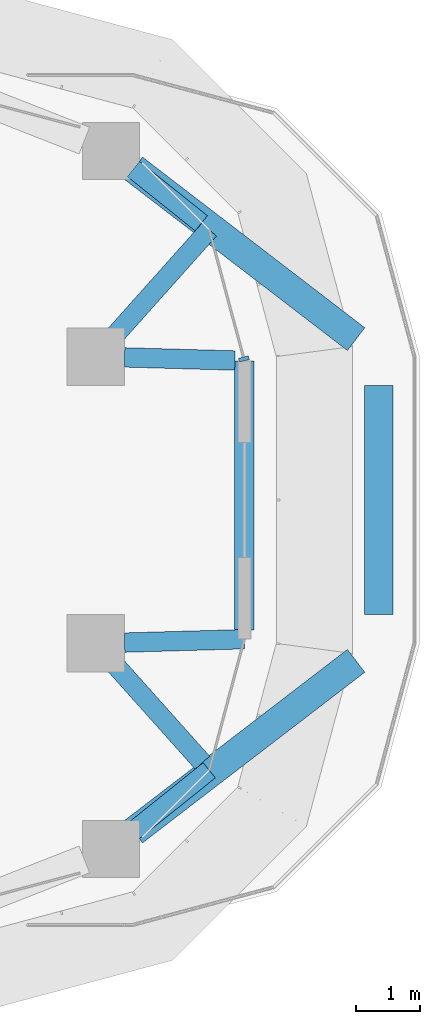
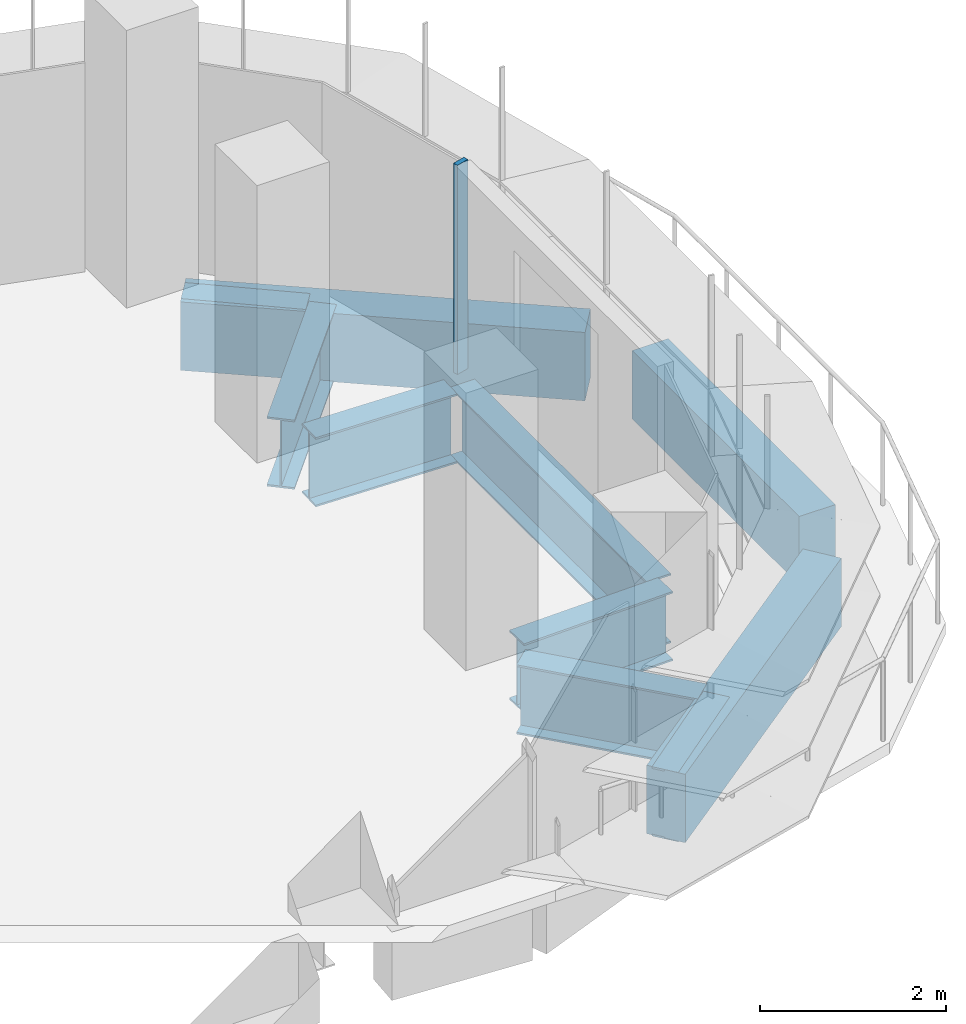
# One storey, part 10 of 22: 10 beams, 1 member, 1 element without a shape of its own.
"""IFC4 building model written with IfcOpenShell, lengths in metres."""

from ifc_helpers import new_model, si_unit, direction, frame, origin, origin_2d, place, context, subcontext, project, spatial, polyline, rectangle, i_section, outline, extrude, source, transform, mapped, material, material_profile, profile_set, type_object, element, aggregate, save


model = new_model("IFC4")

# Units and contexts
model_context = context("Model", 3, precision=1e-05, world=origin(), true_north=direction((0.0, 1.0)))
body_context = subcontext(model_context, "Body", "Model", "MODEL_VIEW")
ifc_project = project(units=[si_unit("LENGTHUNIT", "METRE"), si_unit("AREAUNIT", "SQUARE_METRE"), si_unit("VOLUMEUNIT", "CUBIC_METRE"), si_unit("PLANEANGLEUNIT", "RADIAN"), si_unit("MASSUNIT", "GRAM", prefix="KILO")], contexts=[model_context])

# Site, building, storey
site_placement = place(None, origin())
site = spatial("IfcSite", under=ifc_project, at=site_placement, CompositionType="ELEMENT")
building_placement = place(site_placement, origin())
building = spatial("IfcBuilding", under=site, at=building_placement, Name="Zarbagh Exchange Tower", CompositionType="ELEMENT")
storey_placement = place(building_placement, frame((0.0, 0.0, 124.60009765625)))
storey = spatial("IfcBuildingStorey", under=building, at=storey_placement, Name="L29", CompositionType="ELEMENT", Elevation=124.60009765625)

# Beams
ifc_material_1 = material(Name="Steel ASTM A992 Gr 50", Category="steel")
ifc_material_profile_1 = material_profile(ifc_material_1, i_section(OverallWidth=0.3046875, OverallDepth=0.911865234375, WebThickness=0.015869140625, FlangeThickness=0.02392578125, at=origin_2d()), Name="W36X150")
ifc_profile_set_1 = profile_set([ifc_material_profile_1], Name="Steel ASTM A992 Gr 50")
beam_type_1 = type_object("IfcBeamType", Name="Floor girder W36X150", PredefinedType="BEAM", material=ifc_profile_set_1)
beam_1_placement = place(storey_placement, frame((29.25927734375, 5.193603515625, -0.60595703125), z_axis=(0.780641570564, -0.624978990293, 0.0), x_axis=(0.624978990293, 0.780641570564, 0.0)))
element("IfcBeam", 1, at=beam_1_placement, inside=storey, type_object=beam_type_1, Name="Steel girder", PredefinedType="BEAM", context=body_context, shape_type="SweptSolid", body=[
    extrude(i_section(OverallWidth=0.3046875, OverallDepth=0.911865234375, WebThickness=0.015869140625, FlangeThickness=0.02392578125, at=origin_2d()), origin(), (0.0, 0.0, 1.0), 1.363037109375),
])
beam_2_placement = place(storey_placement, frame((30.44873046875, 4.2412109375, -0.60595703125), z_axis=(-0.666232102063, -0.745744450989, 0.0), x_axis=(0.745744450989, -0.666232102063, 0.0)))
element("IfcBeam", 2, at=beam_2_placement, inside=storey, type_object=beam_type_1, Name="Steel girder", PredefinedType="BEAM", context=body_context, shape_type="SweptSolid", body=[
    extrude(i_section(OverallWidth=0.3046875, OverallDepth=0.911865234375, WebThickness=0.015869140625, FlangeThickness=0.02392578125, at=origin_2d()), origin(), (0.0, 0.0, 1.0), 2.219970703125),
])
beam_3_placement = place(storey_placement, frame((29.119873046875, 2.2373046875, -0.60595703125), z_axis=(0.999602818669, -0.02818164135, 0.0), x_axis=(0.02818164135, 0.999602818669, 0.0)))
element("IfcBeam", 3, at=beam_3_placement, inside=storey, type_object=beam_type_1, Name="Steel girder", PredefinedType="BEAM", context=body_context, shape_type="SweptSolid", body=[
    extrude(i_section(OverallWidth=0.3046875, OverallDepth=0.911865234375, WebThickness=0.015869140625, FlangeThickness=0.02392578125, at=origin_2d()), origin(), (0.0, 0.0, 1.0), 1.732666015625),
])
beam_4_placement = place(storey_placement, frame((31.0, 2.18408203125, -0.60595703125), z_axis=(0.0, -1.0, 0.0), x_axis=(1.0, 0.0, 0.0)))
element("IfcBeam", 4, at=beam_4_placement, inside=storey, type_object=beam_type_1, Name="Steel girder", PredefinedType="BEAM", context=body_context, shape_type="SweptSolid", body=[
    extrude(i_section(OverallWidth=0.3046875, OverallDepth=0.911865234375, WebThickness=0.015869140625, FlangeThickness=0.02392578125, at=origin_2d()), origin(), (0.0, 0.0, 1.0), 4.219970703125),
])
beam_5_placement = place(storey_placement, frame((31.0, -2.18408203125, -0.60595703125), z_axis=(-0.999599568876, -0.028296676537, 0.0), x_axis=(0.028296676537, -0.999599568876, 0.0)))
element("IfcBeam", 5, at=beam_5_placement, inside=storey, type_object=beam_type_1, Name="Steel girder", PredefinedType="BEAM", context=body_context, shape_type="SweptSolid", body=[
    extrude(i_section(OverallWidth=0.3046875, OverallDepth=0.911865234375, WebThickness=0.015869140625, FlangeThickness=0.02392578125, at=origin_2d()), origin(), (0.0, 0.0, 1.0), 1.880859375),
])
beam_6_placement = place(storey_placement, frame((28.9697265625, -2.585693359375, -0.60595703125), z_axis=(0.666333788732, -0.745653593832, 0.0), x_axis=(0.745653593832, 0.666333788732, 0.0)))
element("IfcBeam", 6, at=beam_6_placement, inside=storey, type_object=beam_type_1, Name="Steel girder", PredefinedType="BEAM", context=body_context, shape_type="SweptSolid", body=[
    extrude(i_section(OverallWidth=0.3046875, OverallDepth=0.911865234375, WebThickness=0.015869140625, FlangeThickness=0.02392578125, at=origin_2d()), origin(), (0.0, 0.0, 1.0), 2.05908203125),
])
beam_7_placement = place(storey_placement, frame((30.44873046875, -4.2412109375, -0.60595703125), z_axis=(-0.780603004261, -0.6250271592, 0.0), x_axis=(0.6250271592, -0.780603004261, 0.0)))
element("IfcBeam", 7, at=beam_7_placement, inside=storey, type_object=beam_type_1, Name="Steel girder", PredefinedType="BEAM", context=body_context, shape_type="SweptSolid", body=[
    extrude(i_section(OverallWidth=0.3046875, OverallDepth=0.911865234375, WebThickness=0.015869140625, FlangeThickness=0.02392578125, at=origin_2d()), origin(), (0.0, 0.0, 1.0), 1.523681640625),
])
ifc_material_2 = material(Name="Concrete C60/75", Category="concrete")
ifc_material_profile_2 = material_profile(ifc_material_2, rectangle(XDim=0.449951171875, YDim=0.89990234375, at=origin_2d()), Name="RC spandrel beam 450 x 900 C60/75")
ifc_profile_set_2 = profile_set([ifc_material_profile_2], Name="Concrete C60/75")
beam_type_2 = type_object("IfcBeamType", Name="RC spandrel beam 450 x 900 C60/75", PredefinedType="SPANDREL", material=ifc_profile_set_2)
beam_8_placement = place(storey_placement, frame((29.264892578125, 5.200927734375, -0.60009765625), z_axis=(0.793294357749, -0.608838288844, 0.0), x_axis=(0.608838288844, 0.793294357749, 0.0)))
element("IfcBeam", 8, at=beam_8_placement, inside=storey, type_object=beam_type_2, Name="RC spandrel beam", PredefinedType="SPANDREL", context=body_context, shape_type="SweptSolid", body=[
    extrude(rectangle(XDim=0.449951171875, YDim=0.89990234375, at=origin_2d()), origin(), (0.0, 0.0, 1.0), 4.39697265625),
])
beam_9_placement = place(storey_placement, frame((33.110107421875, 1.800048828125, -0.60009765625), z_axis=(0.0, -1.0, 0.0), x_axis=(1.0, 0.0, 0.0)))
element("IfcBeam", 9, at=beam_9_placement, inside=storey, type_object=beam_type_2, Name="RC spandrel beam", PredefinedType="SPANDREL", context=body_context, shape_type="SweptSolid", body=[
    extrude(rectangle(XDim=0.449951171875, YDim=0.89990234375, at=origin_2d()), origin(), (0.0, 0.0, 1.0), 3.60009765625),
])
beam_10_placement = place(storey_placement, frame((32.7529296875, -2.52392578125, -0.60009765625), z_axis=(-0.793294357749, -0.608838288844, 0.0), x_axis=(0.608838288844, -0.793294357749, 0.0)))
element("IfcBeam", 10, at=beam_10_placement, inside=storey, type_object=beam_type_2, Name="RC spandrel beam", PredefinedType="SPANDREL", context=body_context, shape_type="SweptSolid", body=[
    extrude(rectangle(XDim=0.449951171875, YDim=0.89990234375, at=origin_2d()), origin(), (0.0, 0.0, 1.0), 4.39697265625),
])

# Curtain wall, member
ifc_material_3 = material(Name="Anodised aluminium frame and glazing", Category="aluminium")
curtain_wall_type = type_object("IfcCurtainWallType", Name="CWA Ribbon glazing, lower zones", PredefinedType="NOTDEFINED", material=ifc_material_3)
curtain_wall_placement = place(storey_placement, origin())
curtain_wall = element("IfcCurtainWall", 11, at=curtain_wall_placement, inside=storey, type_object=curtain_wall_type, Name="CWA62 curtain wall", PredefinedType="NOTDEFINED")
ifc_material_4 = material(Name="Anodised aluminium frame", Category="aluminium")
member_type = type_object("IfcMemberType", Name="MUA Mullion, anodised aluminium frame", PredefinedType="MULLION", material=ifc_material_4)
shared_shape = source(origin(), body_context, "Body", "SweptSolid", [
    extrude(outline(polyline([(0.0, -0.080078125), (0.06005859375, -0.080078125), (0.06005859375, 0.080078125), (0.0, 0.080078125), (0.0, -0.080078125)])), origin(), (0.0, 0.0, 1.0), 2.75),
])
member_placement = place(storey_placement, origin())
member = element("IfcMember", 12, at=member_placement, type_object=member_type, Name="CWA62 mullion 1.1", PredefinedType="MULLION", context=body_context, shape_type="MappedRepresentation", body=[
    mapped(shared_shape, transform((31.0, 2.18408203125, 0.0), x_axis=(-0.258824779902, 0.965924289636, 0.0), y_axis=(-0.965924289636, -0.258824779902, 0.0), z_axis=(0.0, 0.0, 1.0))),
])
aggregate(curtain_wall, [member])

save(model, "model.ifc")
